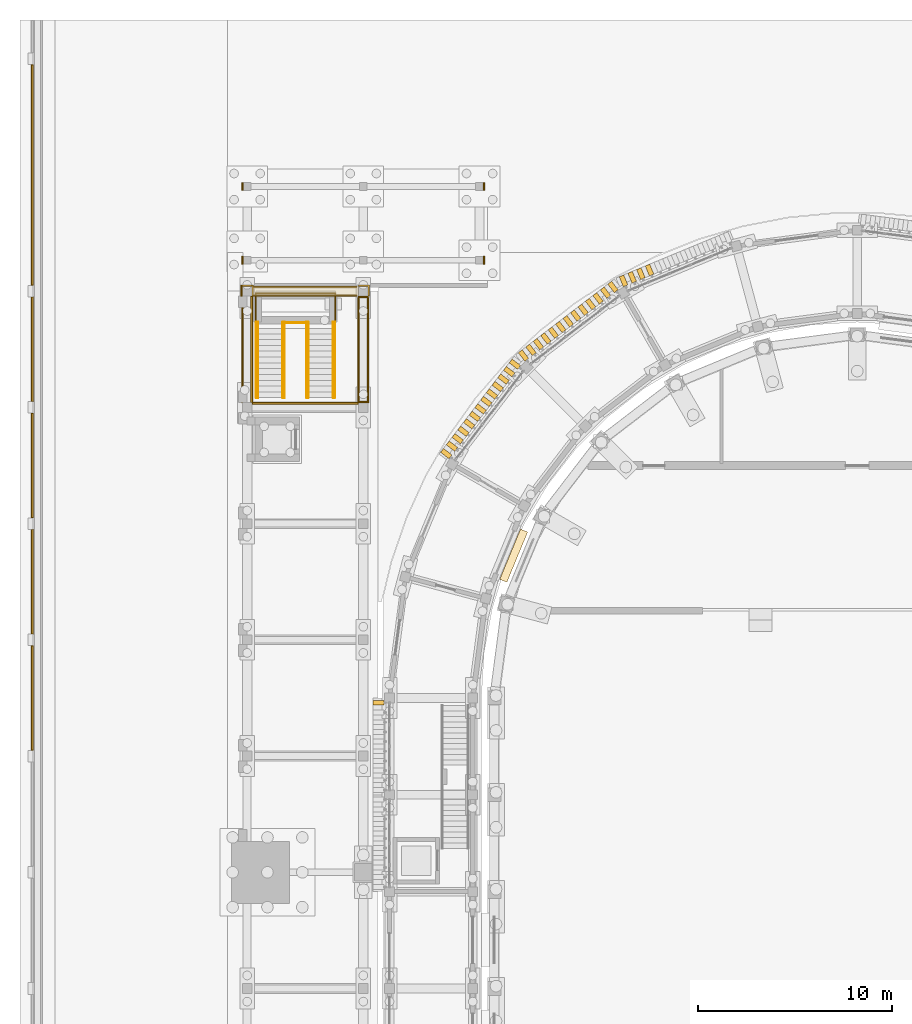
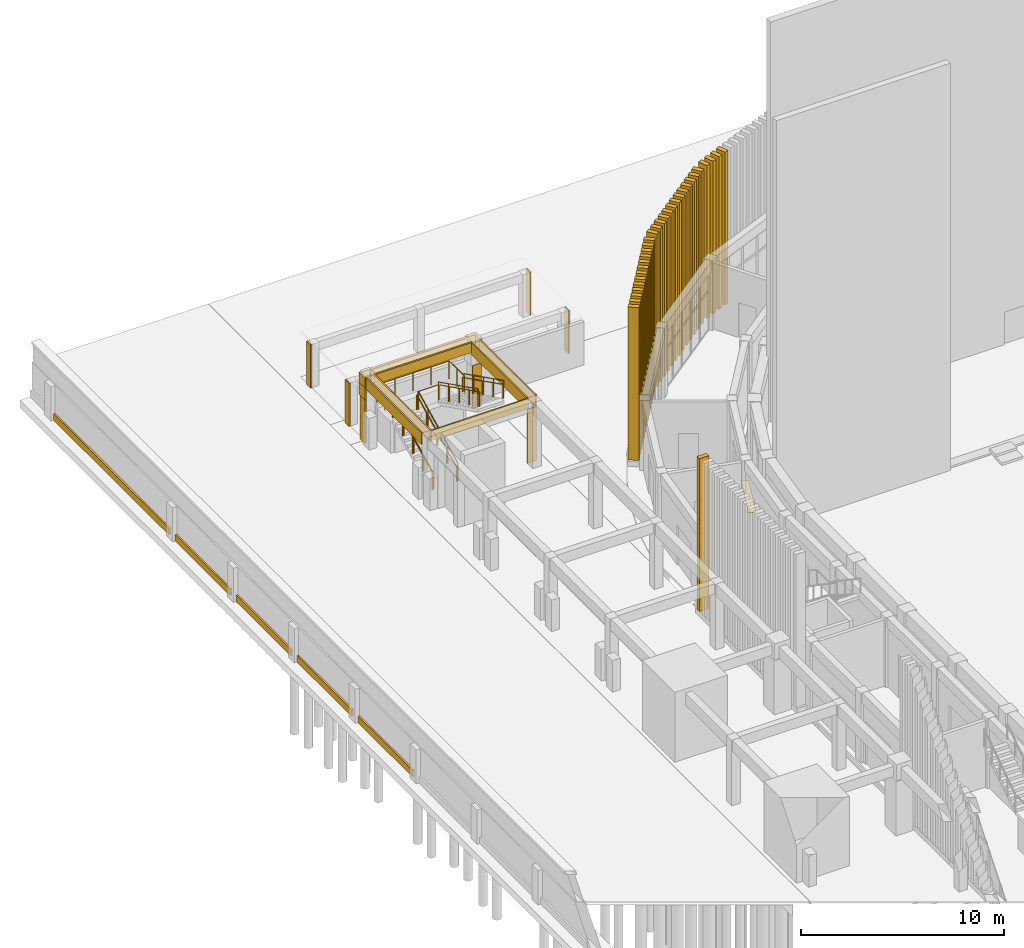
# One storey, part 100 of 112: 55 coverings, 10 railings.
"""IFC4 building model written with IfcOpenShell, lengths in metres."""

from ifc_helpers import new_model, si_unit, direction, frame, origin, origin_2d, place, context, subcontext, project, spatial, polyline, rectangle, circle, outline, extrude, material, layer, layer_set, type_object, element, save


model = new_model("IFC4")

# Units and contexts
model_context = context("Model", 3, precision=1e-05, world=origin(), true_north=direction((0.0, 1.0)))
body_context = subcontext(model_context, "Body", "Model", "MODEL_VIEW")
ifc_project = project(units=[si_unit("LENGTHUNIT", "METRE"), si_unit("AREAUNIT", "SQUARE_METRE"), si_unit("VOLUMEUNIT", "CUBIC_METRE"), si_unit("PLANEANGLEUNIT", "RADIAN"), si_unit("MASSUNIT", "GRAM", prefix="KILO")], contexts=[model_context])

# Site, building, storey
site_placement = place(None, origin())
site = spatial("IfcSite", under=ifc_project, at=site_placement, CompositionType="ELEMENT")
building_placement = place(site_placement, origin())
building = spatial("IfcBuilding", under=site, at=building_placement, Name="Wasatch Bagh Community Centre", CompositionType="ELEMENT")
storey_placement = place(building_placement, origin())
storey = spatial("IfcBuildingStorey", under=building, at=storey_placement, Name="L00", CompositionType="ELEMENT", Elevation=0.0)

# Coverings
ifc_material_1 = material(Name="Cast stone cladding", Category="masonry")
ifc_layer_1 = layer(ifc_material_1, 0.080078125)
ifc_layer_set_1 = layer_set([ifc_layer_1], Name="Cast stone cladding")
covering_type_1 = type_object("IfcCoveringType", Name="CL-B7 beam facing", PredefinedType="CLADDING", material=ifc_layer_set_1)
covering_1_placement = place(storey_placement, frame((0.0, 0.0, 3.25)))
element("IfcCovering", 1, at=covering_1_placement, inside=storey, type_object=covering_type_1, Name="Beam facing", PredefinedType="CLADDING", context=body_context, shape_type="SweptSolid", body=[
    extrude(outline(polyline([(4.300048828125, 80.25), (4.300048828125, 85.75), (4.219970703125, 85.75), (4.219970703125, 80.25), (4.300048828125, 80.25)])), origin(), (0.0, 0.0, 1.0), 0.699951171875),
])
covering_2_placement = place(storey_placement, frame((0.0, 0.0, 3.25)))
element("IfcCovering", 2, at=covering_2_placement, inside=storey, type_object=covering_type_1, Name="Beam facing", PredefinedType="CLADDING", context=body_context, shape_type="SweptSolid", body=[
    extrude(outline(polyline([(4.699951171875, 80.25), (4.699951171875, 85.75), (4.780029296875, 85.75), (4.780029296875, 80.25), (4.699951171875, 80.25)])), origin(), (0.0, 0.0, 1.0), 0.699951171875),
])
covering_3_placement = place(storey_placement, frame((0.0, 0.0, 3.25)))
element("IfcCovering", 3, at=covering_3_placement, inside=storey, type_object=covering_type_1, Name="Beam facing", PredefinedType="CLADDING", context=body_context, shape_type="SweptSolid", body=[
    extrude(outline(polyline([(10.300048828125, 80.25), (10.300048828125, 85.75), (10.219970703125, 85.75), (10.219970703125, 80.25), (10.300048828125, 80.25)])), origin(), (0.0, 0.0, 1.0), 0.699951171875),
])
covering_4_placement = place(storey_placement, frame((0.0, 0.0, 3.25)))
element("IfcCovering", 4, at=covering_4_placement, inside=storey, type_object=covering_type_1, Name="Beam facing", PredefinedType="CLADDING", context=body_context, shape_type="SweptSolid", body=[
    extrude(outline(polyline([(10.699951171875, 80.25), (10.699951171875, 85.75), (10.780029296875, 85.75), (10.780029296875, 80.25), (10.699951171875, 80.25)])), origin(), (0.0, 0.0, 1.0), 0.699951171875),
])
covering_5_placement = place(storey_placement, frame((0.0, 0.0, 3.35009765625)))
element("IfcCovering", 5, at=covering_5_placement, inside=storey, type_object=covering_type_1, Name="Beam facing", PredefinedType="CLADDING", context=body_context, shape_type="SweptSolid", body=[
    extrude(outline(polyline([(4.75, 80.175048828125), (10.25, 80.175048828125), (10.25, 80.2548828125), (4.75, 80.2548828125), (4.75, 80.175048828125)])), origin(), (0.0, 0.0, 1.0), 0.599853515625),
])
covering_6_placement = place(storey_placement, frame((0.0, 0.0, 3.35009765625)))
element("IfcCovering", 6, at=covering_6_placement, inside=storey, type_object=covering_type_1, Name="Beam facing", PredefinedType="CLADDING", context=body_context, shape_type="SweptSolid", body=[
    extrude(outline(polyline([(4.75, 86.175048828125), (10.25, 86.175048828125), (10.25, 86.2548828125), (4.75, 86.2548828125), (4.75, 86.175048828125)])), origin(), (0.0, 0.0, 1.0), 0.599853515625),
])
covering_7_placement = place(storey_placement, frame((0.0, 0.0, 3.35009765625)))
element("IfcCovering", 7, at=covering_7_placement, inside=storey, type_object=covering_type_1, Name="Beam facing", PredefinedType="CLADDING", context=body_context, shape_type="SweptSolid", body=[
    extrude(outline(polyline([(4.75, 85.824951171875), (10.25, 85.824951171875), (10.25, 85.7451171875), (4.75, 85.7451171875), (4.75, 85.824951171875)])), origin(), (0.0, 0.0, 1.0), 0.599853515625),
])
covering_8_placement = place(storey_placement, frame((0.0, 0.0, 3.949951171875)))
element("IfcCovering", 8, at=covering_8_placement, inside=storey, type_object=covering_type_1, Name="Beam facing", PredefinedType="CLADDING", context=body_context, shape_type="SweptSolid", body=[
    extrude(outline(polyline([(4.75, 85.7451171875), (10.25, 85.7451171875), (10.25, 86.2548828125), (4.75, 86.2548828125), (4.75, 85.7451171875)])), origin(), (0.0, 0.0, 1.0), 0.080078125),
])
ifc_layer_2 = layer(ifc_material_1, 0.080078125)
ifc_layer_set_2 = layer_set([ifc_layer_2], Name="Cast stone cladding")
covering_type_2 = type_object("IfcCoveringType", Name="CL-C1 column facing", PredefinedType="CLADDING", material=ifc_layer_set_2)
covering_9_placement = place(storey_placement, origin())
element("IfcCovering", 9, at=covering_9_placement, inside=storey, type_object=covering_type_2, Name="Column facing", PredefinedType="CLADDING", context=body_context, shape_type="SweptSolid", body=[
    extrude(outline(polyline([(10.75, 80.25), (10.25, 80.25), (10.25, 80.330078125), (10.75, 80.330078125), (10.75, 80.25)])), origin(), (0.0, 0.0, 1.0), 3.25),
])
covering_10_placement = place(storey_placement, origin())
element("IfcCovering", 10, at=covering_10_placement, inside=storey, type_object=covering_type_2, Name="Column facing", PredefinedType="CLADDING", context=body_context, shape_type="SweptSolid", body=[
    extrude(outline(polyline([(4.25, 86.25), (4.25, 85.75), (4.169921875, 85.75), (4.169921875, 86.25), (4.25, 86.25)])), origin(), (0.0, 0.0, 1.0), 2.60009765625),
])
covering_11_placement = place(storey_placement, frame((0.0, 0.0, 2.60009765625)))
element("IfcCovering", 11, at=covering_11_placement, inside=storey, type_object=covering_type_2, Name="Column facing", PredefinedType="CLADDING", context=body_context, shape_type="SweptSolid", body=[
    extrude(outline(polyline([(4.169921875, 85.75), (4.169921875, 86.330078125), (4.830078125, 86.330078125), (4.830078125, 85.75), (4.75, 85.75), (4.75, 86.25), (4.25, 86.25), (4.25, 85.75), (4.169921875, 85.75)])), origin(), (0.0, 0.0, 1.0), 0.75),
])
covering_12_placement = place(storey_placement, frame((0.0, 0.0, 3.35009765625)))
element("IfcCovering", 12, at=covering_12_placement, inside=storey, type_object=covering_type_2, Name="Column facing", PredefinedType="CLADDING", context=body_context, shape_type="SweptSolid", body=[
    extrude(outline(polyline([(4.25, 85.75), (4.169921875, 85.75), (4.169921875, 86.330078125), (4.75, 86.330078125), (4.75, 86.25), (4.25, 86.25), (4.25, 85.75)])), origin(), (0.0, 0.0, 1.0), 0.599853515625),
])
covering_13_placement = place(storey_placement, origin())
element("IfcCovering", 13, at=covering_13_placement, inside=storey, type_object=covering_type_2, Name="Column facing", PredefinedType="CLADDING", context=body_context, shape_type="SweptSolid", body=[
    extrude(outline(polyline([(10.25, 85.75), (10.75, 85.75), (10.75, 85.669921875), (10.25, 85.669921875), (10.25, 85.75)])), origin(), (0.0, 0.0, 1.0), 2.60009765625),
])
covering_14_placement = place(storey_placement, frame((0.0, 0.0, 3.35009765625)))
element("IfcCovering", 14, at=covering_14_placement, inside=storey, type_object=covering_type_2, Name="Column facing", PredefinedType="CLADDING", context=body_context, shape_type="SweptSolid", body=[
    extrude(outline(polyline([(10.75, 86.25), (10.25, 86.25), (10.25, 86.330078125), (10.830078125, 86.330078125), (10.830078125, 85.75), (10.75, 85.75), (10.75, 86.25)])), origin(), (0.0, 0.0, 1.0), 0.599853515625),
])
covering_15_placement = place(storey_placement, origin())
element("IfcCovering", 15, at=covering_15_placement, inside=storey, type_object=covering_type_2, Name="Column facing", PredefinedType="CLADDING", context=body_context, shape_type="SweptSolid", body=[
    extrude(outline(polyline([(4.300048828125, 87.800048828125), (4.300048828125, 87.39990234375), (4.219970703125, 87.39990234375), (4.219970703125, 87.800048828125), (4.300048828125, 87.800048828125)])), origin(), (0.0, 0.0, 1.0), 2.60009765625),
])
covering_16_placement = place(storey_placement, origin())
element("IfcCovering", 16, at=covering_16_placement, inside=storey, type_object=covering_type_2, Name="Column facing", PredefinedType="CLADDING", context=body_context, shape_type="SweptSolid", body=[
    extrude(outline(polyline([(16.699951171875, 87.39990234375), (16.699951171875, 87.800048828125), (16.780029296875, 87.800048828125), (16.780029296875, 87.39990234375), (16.699951171875, 87.39990234375)])), origin(), (0.0, 0.0, 1.0), 2.60009765625),
])
covering_17_placement = place(storey_placement, origin())
element("IfcCovering", 17, at=covering_17_placement, inside=storey, type_object=covering_type_2, Name="Column facing", PredefinedType="CLADDING", context=body_context, shape_type="SweptSolid", body=[
    extrude(outline(polyline([(4.300048828125, 91.60009765625), (4.300048828125, 91.199951171875), (4.219970703125, 91.199951171875), (4.219970703125, 91.60009765625), (4.300048828125, 91.60009765625)])), origin(), (0.0, 0.0, 1.0), 2.60009765625),
])
covering_18_placement = place(storey_placement, origin())
element("IfcCovering", 18, at=covering_18_placement, inside=storey, type_object=covering_type_2, Name="Column facing", PredefinedType="CLADDING", context=body_context, shape_type="SweptSolid", body=[
    extrude(outline(polyline([(16.699951171875, 91.199951171875), (16.699951171875, 91.60009765625), (16.780029296875, 91.60009765625), (16.780029296875, 91.199951171875), (16.699951171875, 91.199951171875)])), origin(), (0.0, 0.0, 1.0), 2.60009765625),
])

# Railings
ifc_material_2 = material(Name="ASTM A36 steel plate", Category="steel")
railing_type_1 = type_object("IfcRailingType", Name="CT-G1", PredefinedType="GUARDRAIL", material=ifc_material_2)
for number, where, name in (
    (19, (6.419921875, 80.5, 0.14990234375), "GUARD 21"),
    (20, (4.97998046875, 80.5, 0.14990234375), "GUARD 22"),
):
    element("IfcRailing", number, at=place(storey_placement, frame(where)), inside=storey, type_object=railing_type_1, Name=name, PredefinedType="GUARDRAIL", context=body_context, shape_type="SweptSolid", body=[
        extrude(circle(Radius=0.02392578125, at=origin_2d()), frame((0.0, 0.0, 1.076171875), z_axis=(0.0, 0.894404793364, 0.447258387967), x_axis=(-1.0, 0.0, 0.0)), (0.0, 0.0, 1.0), 4.3603515625),
        extrude(circle(Radius=0.02099609375, at=origin_2d()), origin(), (0.0, 0.0, 1.0), 1.052001953125),
        extrude(circle(Radius=0.02099609375, at=origin_2d()), frame((0.0, 0.97509765625, 0.487548828125)), (0.0, 0.0, 1.0), 1.052001953125),
        extrude(circle(Radius=0.02099609375, at=origin_2d()), frame((0.0, 1.949951171875, 0.97509765625)), (0.0, 0.0, 1.0), 1.052001953125),
        extrude(circle(Radius=0.02099609375, at=origin_2d()), frame((0.0, 2.9248046875, 1.462646484375)), (0.0, 0.0, 1.0), 1.052001953125),
        extrude(circle(Radius=0.02099609375, at=origin_2d()), frame((0.0, 3.89990234375, 1.9501953125)), (0.0, 0.0, 1.0), 1.052001953125),
    ])
for number, where, name in (
    (21, (7.580078125, 84.39990234375, 2.25), "GUARD 25"),
    (22, (9.02001953125, 84.39990234375, 2.25), "GUARD 26"),
):
    element("IfcRailing", number, at=place(storey_placement, frame(where)), inside=storey, type_object=railing_type_1, Name=name, PredefinedType="GUARDRAIL", context=body_context, shape_type="SweptSolid", body=[
        extrude(circle(Radius=0.02392578125, at=origin_2d()), frame((0.0, 0.0, 1.076171875), z_axis=(0.0, -0.894427191, 0.4472135955), x_axis=(1.0, 0.0, 0.0)), (0.0, 0.0, 1.0), 4.360107421875),
        extrude(circle(Radius=0.02099609375, at=origin_2d()), origin(), (0.0, 0.0, 1.0), 1.052001953125),
        extrude(circle(Radius=0.02099609375, at=origin_2d()), frame((0.0, -0.97509765625, 0.487548828125)), (0.0, 0.0, 1.0), 1.052001953125),
        extrude(circle(Radius=0.02099609375, at=origin_2d()), frame((0.0, -1.949951171875, 0.97509765625)), (0.0, 0.0, 1.0), 1.052001953125),
        extrude(circle(Radius=0.02099609375, at=origin_2d()), frame((0.0, -2.9248046875, 1.46240234375)), (0.0, 0.0, 1.0), 1.052001953125),
        extrude(circle(Radius=0.02099609375, at=origin_2d()), frame((0.0, -3.89990234375, 1.949951171875)), (0.0, 0.0, 1.0), 1.052001953125),
    ])
railing_1_placement = place(storey_placement, frame((4.949951171875, 84.3798828125, 2.10009765625)))
element("IfcRailing", 23, at=railing_1_placement, inside=storey, type_object=railing_type_1, Name="GUARD 29", PredefinedType="GUARDRAIL", context=body_context, shape_type="SweptSolid", body=[
    extrude(circle(Radius=0.02392578125, at=origin_2d()), frame((0.0, 0.0, 1.076171875), z_axis=(0.0, 1.0, 0.0), x_axis=(-1.0, 0.0, 0.0)), (0.0, 0.0, 1.0), 1.52001953125),
    extrude(circle(Radius=0.02392578125, at=origin_2d()), frame((0.0, 1.52001953125, 1.076171875), z_axis=(1.0, 0.0, 0.0), x_axis=(0.0, 1.0, 0.0)), (0.0, 0.0, 1.0), 4.10009765625),
    extrude(circle(Radius=0.02392578125, at=origin_2d()), frame((4.10009765625, 1.52001953125, 1.076171875), z_axis=(0.0, -1.0, 0.0), x_axis=(1.0, 0.0, 0.0)), (0.0, 0.0, 1.0), 1.52001953125),
    extrude(circle(Radius=0.02099609375, at=origin_2d()), origin(), (0.0, 0.0, 1.0), 1.052001953125),
    extrude(circle(Radius=0.02099609375, at=origin_2d()), frame((0.0, 0.760009765625, 0.0)), (0.0, 0.0, 1.0), 1.052001953125),
    extrude(circle(Radius=0.02099609375, at=origin_2d()), frame((0.0, 1.52001953125, 0.0)), (0.0, 0.0, 1.0), 1.052001953125),
    extrude(circle(Radius=0.02099609375, at=origin_2d()), frame((1.02490234375, 1.52001953125, 0.0)), (0.0, 0.0, 1.0), 1.052001953125),
    extrude(circle(Radius=0.02099609375, at=origin_2d()), frame((2.050048828125, 1.52001953125, 0.0)), (0.0, 0.0, 1.0), 1.052001953125),
    extrude(circle(Radius=0.02099609375, at=origin_2d()), frame((3.0751953125, 1.52001953125, 0.0)), (0.0, 0.0, 1.0), 1.052001953125),
    extrude(circle(Radius=0.02099609375, at=origin_2d()), frame((4.10009765625, 1.52001953125, 0.0)), (0.0, 0.0, 1.0), 1.052001953125),
    extrude(circle(Radius=0.02099609375, at=origin_2d()), frame((4.10009765625, 0.760009765625, 0.0)), (0.0, 0.0, 1.0), 1.052001953125),
    extrude(circle(Radius=0.02099609375, at=origin_2d()), frame((4.10009765625, 0.0, 0.0)), (0.0, 0.0, 1.0), 1.052001953125),
])
railing_2_placement = place(storey_placement, frame((6.419921875, 84.3798828125, 2.10009765625)))
element("IfcRailing", 24, at=railing_2_placement, inside=storey, type_object=railing_type_1, Name="GUARD 30", PredefinedType="GUARDRAIL", context=body_context, shape_type="SweptSolid", body=[
    extrude(circle(Radius=0.02392578125, at=origin_2d()), frame((0.0, 0.0, 1.076171875), z_axis=(1.0, 0.0, 0.0), x_axis=(0.0, 1.0, 0.0)), (0.0, 0.0, 1.0), 1.16015625),
    extrude(circle(Radius=0.02099609375, at=origin_2d()), origin(), (0.0, 0.0, 1.0), 1.052001953125),
    extrude(circle(Radius=0.02099609375, at=origin_2d()), frame((1.16015625, 0.0, 0.0)), (0.0, 0.0, 1.0), 1.052001953125),
])
railing_type_2 = type_object("IfcRailingType", Name="CT-H1", PredefinedType="HANDRAIL", material=ifc_material_2)
for number, where, name in (
    (25, (6.35009765625, 80.5, 0.14990234375), "HANDRAIL 23"),
    (26, (5.050048828125, 80.5, 0.14990234375), "HANDRAIL 24"),
):
    element("IfcRailing", number, at=place(storey_placement, frame(where)), inside=storey, type_object=railing_type_2, Name=name, PredefinedType="HANDRAIL", context=body_context, shape_type="SweptSolid", body=[
        extrude(circle(Radius=0.02392578125, at=origin_2d()), frame((0.0, 0.0, 0.8759765625), z_axis=(0.0, 0.894404793364, 0.447258387967), x_axis=(-1.0, 0.0, 0.0)), (0.0, 0.0, 1.0), 4.3603515625),
        extrude(circle(Radius=0.02099609375, at=origin_2d()), origin(), (0.0, 0.0, 1.0), 0.851806640625),
        extrude(circle(Radius=0.02099609375, at=origin_2d()), frame((0.0, 0.97509765625, 0.487548828125)), (0.0, 0.0, 1.0), 0.851806640625),
        extrude(circle(Radius=0.02099609375, at=origin_2d()), frame((0.0, 1.949951171875, 0.97509765625)), (0.0, 0.0, 1.0), 0.851806640625),
        extrude(circle(Radius=0.02099609375, at=origin_2d()), frame((0.0, 2.9248046875, 1.462646484375)), (0.0, 0.0, 1.0), 0.851806640625),
        extrude(circle(Radius=0.02099609375, at=origin_2d()), frame((0.0, 3.89990234375, 1.9501953125)), (0.0, 0.0, 1.0), 0.851806640625),
    ])
for number, where, name in (
    (27, (7.64990234375, 84.39990234375, 2.25), "HANDRAIL 27"),
    (28, (8.949951171875, 84.39990234375, 2.25), "HANDRAIL 28"),
):
    element("IfcRailing", number, at=place(storey_placement, frame(where)), inside=storey, type_object=railing_type_2, Name=name, PredefinedType="HANDRAIL", context=body_context, shape_type="SweptSolid", body=[
        extrude(circle(Radius=0.02392578125, at=origin_2d()), frame((0.0, 0.0, 0.8759765625), z_axis=(0.0, -0.894427191, 0.4472135955), x_axis=(1.0, 0.0, 0.0)), (0.0, 0.0, 1.0), 4.360107421875),
        extrude(circle(Radius=0.02099609375, at=origin_2d()), origin(), (0.0, 0.0, 1.0), 0.851806640625),
        extrude(circle(Radius=0.02099609375, at=origin_2d()), frame((0.0, -0.97509765625, 0.487548828125)), (0.0, 0.0, 1.0), 0.851806640625),
        extrude(circle(Radius=0.02099609375, at=origin_2d()), frame((0.0, -1.949951171875, 0.97509765625)), (0.0, 0.0, 1.0), 0.851806640625),
        extrude(circle(Radius=0.02099609375, at=origin_2d()), frame((0.0, -2.9248046875, 1.46240234375)), (0.0, 0.0, 1.0), 0.851806640625),
        extrude(circle(Radius=0.02099609375, at=origin_2d()), frame((0.0, -3.89990234375, 1.949951171875)), (0.0, 0.0, 1.0), 0.851806640625),
    ])

# Coverings
ifc_material_3 = material(Name="Aluminium chequer plate", Category="aluminium")
ifc_layer_3 = layer(ifc_material_3, 0.02001953125)
ifc_layer_set_3 = layer_set([ifc_layer_3], Name="Aluminium chequer plate")
covering_type_3 = type_object("IfcCoveringType", Name="Drum joint cover plate", PredefinedType="FLOORING", material=ifc_layer_set_3)
covering_19_placement = place(storey_placement, frame((18.261474609375, 72.347412109375, 0.0), z_axis=(0.0, 0.0, 1.0), x_axis=(-0.923879532511, 0.382683432365, 0.0)))
element("IfcCovering", 29, at=covering_19_placement, inside=storey, type_object=covering_type_3, Name="Joint cover plate North-West", PredefinedType="FLOORING", context=body_context, shape_type="SweptSolid", body=[
    extrude(rectangle(XDim=0.39990234375, YDim=2.800048828125, at=origin_2d()), origin(), (0.0, 0.0, 1.0), 0.02001953125),
])
ifc_material_4 = material(Name="White precast concrete C40/50", Category="concrete")
ifc_layer_4 = layer(ifc_material_4, 0.25)
ifc_layer_set_4 = layer_set([ifc_layer_4], Name="White precast concrete C40/50")
covering_type_4 = type_object("IfcCoveringType", Name="Drum vertical fin", PredefinedType="CLADDING", material=ifc_layer_set_4)
for number, where, z_axis, x_axis, name in (
    (30, (25.27490234375, 87.090576171875, 0.2998046875), (0.0, 0.0, 1.0), (-0.923879532511, -0.382683432365, 0.0), "Fin 26.10"),
    (31, (24.826904296875, 86.905029296875, 0.2998046875), (0.0, 0.0, 1.0), (-0.923879532511, -0.382683432365, 0.0), "Fin 26.11"),
    (32, (24.37890625, 86.719482421875, 0.2998046875), (0.0, 0.0, 1.0), (-0.923879532511, -0.382683432365, 0.0), "Fin 26.12"),
    (33, (23.930908203125, 86.533935546875, 0.2998046875), (0.0, 0.0, 1.0), (-0.923879532511, -0.382683432365, 0.0), "Fin 26.13"),
    (34, (23.3857421875, 86.218994140625, 0.2998046875), (0.0, 0.0, 1.0), (-0.793353340291, -0.608761429009, 0.0), "Fin 27.1"),
    (35, (23.0009765625, 85.923828125, 0.2998046875), (0.0, 0.0, 1.0), (-0.793353340291, -0.608761429009, 0.0), "Fin 27.2"),
    (36, (22.6162109375, 85.628662109375, 0.2998046875), (0.0, 0.0, 1.0), (-0.793353340291, -0.608761429009, 0.0), "Fin 27.3"),
    (37, (22.2314453125, 85.33349609375, 0.2998046875), (0.0, 0.0, 1.0), (-0.793353340291, -0.608761429009, 0.0), "Fin 27.4"),
    (38, (21.8466796875, 85.038330078125, 0.2998046875), (0.0, 0.0, 1.0), (-0.793353340291, -0.608761429009, 0.0), "Fin 27.5"),
    (39, (21.4619140625, 84.742919921875, 0.2998046875), (0.0, 0.0, 1.0), (-0.793353340291, -0.608761429009, 0.0), "Fin 27.6"),
    (40, (21.0771484375, 84.44775390625, 0.2998046875), (0.0, 0.0, 1.0), (-0.793353340291, -0.608761429009, 0.0), "Fin 27.7"),
    (41, (20.6923828125, 84.152587890625, 0.2998046875), (0.0, 0.0, 1.0), (-0.793353340291, -0.608761429009, 0.0), "Fin 27.8"),
    (42, (20.3076171875, 83.857421875, 0.2998046875), (0.0, 0.0, 1.0), (-0.793353340291, -0.608761429009, 0.0), "Fin 27.9"),
    (43, (19.9228515625, 83.56201171875, 0.2998046875), (0.0, 0.0, 1.0), (-0.793353340291, -0.608761429009, 0.0), "Fin 27.10"),
    (44, (19.538330078125, 83.266845703125, 0.2998046875), (0.0, 0.0, 1.0), (-0.793353340291, -0.608761429009, 0.0), "Fin 27.11"),
    (45, (19.153564453125, 82.9716796875, 0.2998046875), (0.0, 0.0, 1.0), (-0.793353340291, -0.608761429009, 0.0), "Fin 27.12"),
    (46, (18.768798828125, 82.676513671875, 0.2998046875), (0.0, 0.0, 1.0), (-0.793353340291, -0.608761429009, 0.0), "Fin 27.13"),
    (47, (18.323486328125, 82.231201171875, 0.2998046875), (0.0, 0.0, 1.0), (-0.608761429009, -0.793353340291, 0.0), "Fin 28.1"),
    (48, (18.0283203125, 81.846435546875, 0.2998046875), (0.0, 0.0, 1.0), (-0.608761429009, -0.793353340291, 0.0), "Fin 28.2"),
    (49, (17.733154296875, 81.461669921875, 0.2998046875), (0.0, 0.0, 1.0), (-0.608761429009, -0.793353340291, 0.0), "Fin 28.3"),
    (50, (17.43798828125, 81.0771484375, 0.2998046875), (0.0, 0.0, 1.0), (-0.608761429009, -0.793353340291, 0.0), "Fin 28.4"),
    (51, (17.142578125, 80.6923828125, 0.2998046875), (0.0, 0.0, 1.0), (-0.608761429009, -0.793353340291, 0.0), "Fin 28.5"),
    (52, (16.847412109375, 80.3076171875, 0.2998046875), (0.0, 0.0, 1.0), (-0.608761429009, -0.793353340291, 0.0), "Fin 28.6"),
    (53, (16.55224609375, 79.9228515625, 0.2998046875), (0.0, 0.0, 1.0), (-0.608761429009, -0.793353340291, 0.0), "Fin 28.7"),
    (54, (16.257080078125, 79.5380859375, 0.2998046875), (0.0, 0.0, 1.0), (-0.608761429009, -0.793353340291, 0.0), "Fin 28.8"),
    (55, (15.961669921875, 79.1533203125, 0.2998046875), (0.0, 0.0, 1.0), (-0.608761429009, -0.793353340291, 0.0), "Fin 28.9"),
    (56, (15.66650390625, 78.7685546875, 0.2998046875), (0.0, 0.0, 1.0), (-0.608761429009, -0.793353340291, 0.0), "Fin 28.10"),
    (57, (15.371337890625, 78.3837890625, 0.2998046875), (0.0, 0.0, 1.0), (-0.608761429009, -0.793353340291, 0.0), "Fin 28.11"),
    (58, (15.076171875, 77.9990234375, 0.2998046875), (0.0, 0.0, 1.0), (-0.608761429009, -0.793353340291, 0.0), "Fin 28.12"),
    (59, (14.781005859375, 77.6142578125, 0.2998046875), (0.0, 0.0, 1.0), (-0.608761429009, -0.793353340291, 0.0), "Fin 28.13"),
    (60, (11.280029296875, 64.75, 0.2998046875), (0.0, 0.0, 1.0), (0.0, -1.0, 0.0), "Fin 31.1"),
):
    element("IfcCovering", number, at=place(storey_placement, frame(where, z_axis=z_axis, x_axis=x_axis)), inside=storey, type_object=covering_type_4, Name=name, PredefinedType="CLADDING", context=body_context, shape_type="SweptSolid", body=[
        extrude(rectangle(XDim=0.25, YDim=0.550048828125, at=origin_2d()), origin(), (0.0, 0.0, 1.0), 9.199951171875),
    ])
ifc_layer_5 = layer(ifc_material_4, 0.10009765625)
ifc_layer_set_5 = layer_set([ifc_layer_5], Name="White precast concrete C40/50")
covering_type_5 = type_object("IfcCoveringType", Name="Quay plinth band 100", PredefinedType="CLADDING", material=ifc_layer_set_5)
for number, where, z_axis, x_axis, name in (
    (61, (-6.60009765625, 65.0, -2.050048828125), (0.0, 0.0, 1.0), (1.0, 0.0, 0.0), "Quay plinth band 11"),
    (62, (-6.60009765625, 71.0, -2.050048828125), (0.0, 0.0, 1.0), (1.0, 0.0, 0.0), "Quay plinth band 12"),
    (63, (-6.60009765625, 77.0, -2.050048828125), (0.0, 0.0, 1.0), (1.0, 0.0, 0.0), "Quay plinth band 13"),
    (64, (-6.60009765625, 83.0, -2.050048828125), (0.0, 0.0, 1.0), (1.0, 0.0, 0.0), "Quay plinth band 14"),
):
    element("IfcCovering", number, at=place(storey_placement, frame(where, z_axis=z_axis, x_axis=x_axis)), inside=storey, type_object=covering_type_5, Name=name, PredefinedType="CLADDING", context=body_context, shape_type="SweptSolid", body=[
        extrude(rectangle(XDim=0.10009765625, YDim=5.39990234375, at=origin_2d()), origin(), (0.0, 0.0, 1.0), 0.39990234375),
    ])
covering_20_placement = place(storey_placement, frame((-6.60009765625, 92.0, -2.050048828125), z_axis=(0.0, 0.0, 1.0), x_axis=(1.0, 0.0, 0.0)))
element("IfcCovering", 65, at=covering_20_placement, inside=storey, type_object=covering_type_5, Name="Quay plinth band 15", PredefinedType="CLADDING", context=body_context, shape_type="SweptSolid", body=[
    extrude(rectangle(XDim=0.10009765625, YDim=11.39990234375, at=origin_2d()), origin(), (0.0, 0.0, 1.0), 0.39990234375),
])

save(model, "model.ifc")
